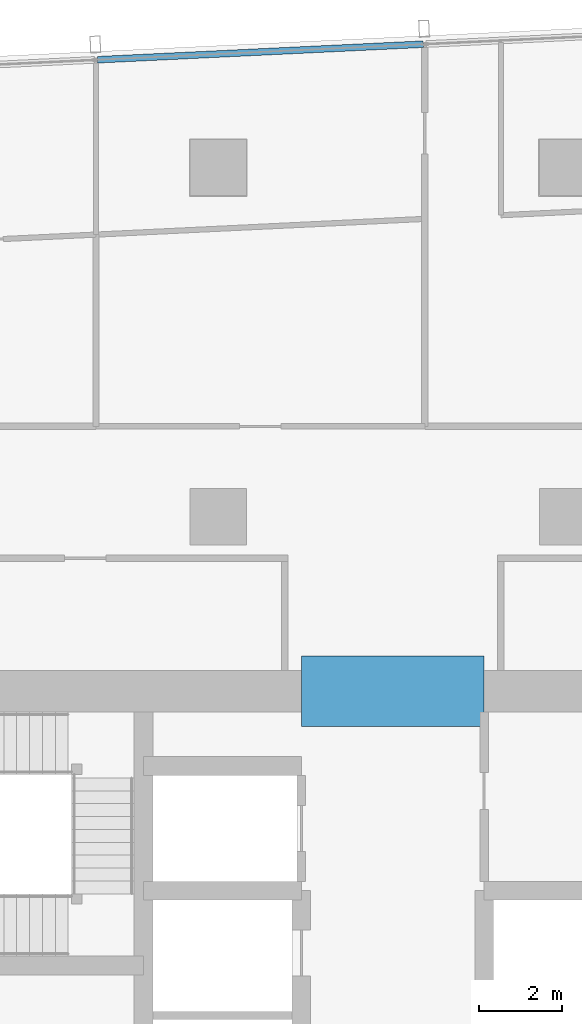
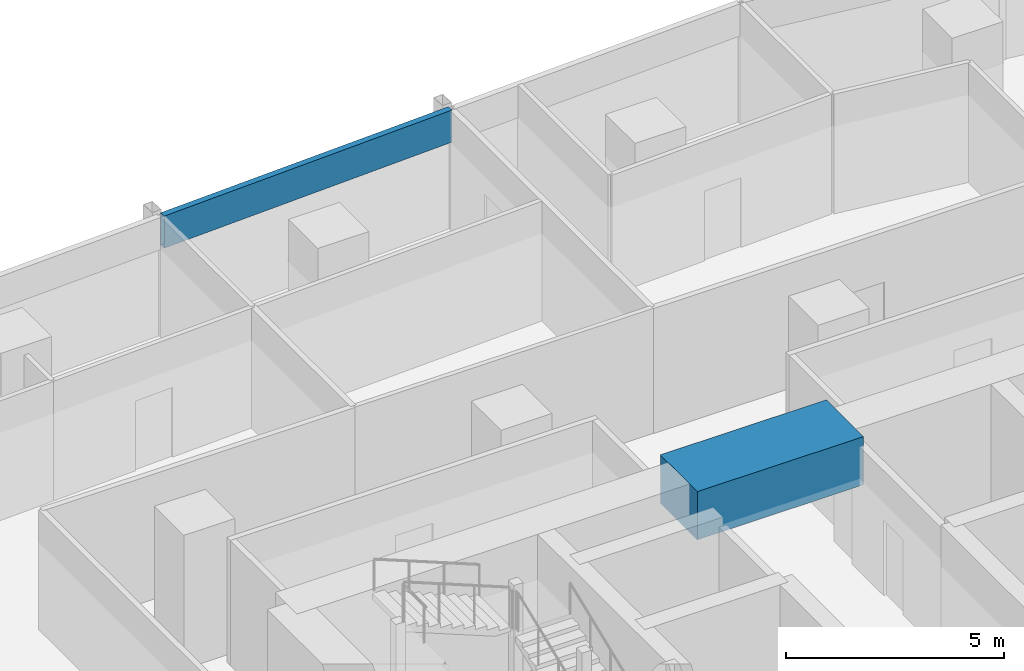
# One storey, part 17 of 33: 1 beam, 1 member, 1 element without a shape of its own.
"""IFC4 building model written with IfcOpenShell, lengths in metres."""

import ifcopenshell
import ifcopenshell.guid

model = None  # the IFC model being written
_history = None  # IfcOwnerHistory: only IFC2X3 demands one
_inside = {}  # id of a spatial element -> (the spatial element, [elements in it])
_under = {}  # id of a project, library or spatial element -> (it, [spatial elements below it])
_declared = {}  # id of a project -> (the project, [libraries it declares])
_typed = {}  # id of a type object -> (the type object, [elements of that type])
_made_of = {}  # id of a material, layer set ... -> (it, [elements and type objects made of it])


def new_model(schema):
    """Start an empty IFC model of exactly this schema.

    Asked for "IFC4X3", IfcOpenShell would pick the latest addendum, in which some entities
    have other attributes; the version numbers below select the first issue.
    IFC2X3 requires an IfcOwnerHistory on every rooted entity: one is made here for all.
    """
    global model, _history
    if schema == "IFC4X3":
        model = ifcopenshell.file(schema_version=(4, 3, 0, 0))
    else:
        model = ifcopenshell.file(schema=schema)
    _inside.clear()
    _under.clear()
    _declared.clear()
    _typed.clear()
    _made_of.clear()
    _history = None
    if model.schema == "IFC2X3":
        org = make("IfcOrganization", Name="unknown")
        user = make(
            "IfcPersonAndOrganization",
            ThePerson=make("IfcPerson", FamilyName="unknown"),
            TheOrganization=org,
        )
        app = make(
            "IfcApplication",
            ApplicationDeveloper=org,
            Version="unknown",
            ApplicationFullName="unknown",
            ApplicationIdentifier="unknown",
        )
        _history = make(
            "IfcOwnerHistory",
            OwningUser=user,
            OwningApplication=app,
            ChangeAction="ADDED",
            CreationDate=0,
        )
    return model


def make(cls, **values):
    """One entity of the class cls with the attributes given. An attribute that is None is left unset."""
    return model.create_entity(
        cls, **{name: value for name, value in values.items() if value is not None}
    )


def rooted(cls, **values):
    """An entity with a GlobalId (a new one), such as an element, a storey or a relation."""
    return make(cls, GlobalId=ifcopenshell.guid.new(), OwnerHistory=_history, **values)


def si_unit(unit_type, name, prefix=None):
    """IfcSIUnit, for example si_unit("LENGTHUNIT", "METRE", prefix="MILLI")."""
    return make("IfcSIUnit", UnitType=unit_type, Prefix=prefix, Name=name)


def assignment(units):
    """IfcUnitAssignment: the units of a project."""
    return None if units is None else make("IfcUnitAssignment", Units=units)


def point(xyz):
    """IfcCartesianPoint."""
    return None if xyz is None else make("IfcCartesianPoint", Coordinates=xyz)


def direction(xyz):
    """IfcDirection."""
    return None if xyz is None else make("IfcDirection", DirectionRatios=xyz)


def frame(location, z_axis=None, x_axis=None):
    """IfcAxis2Placement3D, a coordinate frame: its origin and axes. An axis left out is left unset."""
    return make(
        "IfcAxis2Placement3D",
        Location=point(location),
        Axis=direction(z_axis),
        RefDirection=direction(x_axis),
    )


def frame_2d(location, x_axis=None):
    """IfcAxis2Placement2D, a coordinate frame in the plane: its origin and x axis."""
    return make(
        "IfcAxis2Placement2D", Location=point(location), RefDirection=direction(x_axis)
    )


def origin():
    """The frame at (0, 0, 0) with its axes left unset."""
    return frame((0.0, 0.0, 0.0))


def origin_2d():
    """The frame at (0, 0) in the plane with its x axis left unset."""
    return frame_2d((0.0, 0.0))


def place(relative_to, where):
    """IfcLocalPlacement: puts the frame where relative to a parent placement (None: the world)."""
    return make(
        "IfcLocalPlacement", PlacementRelTo=relative_to, RelativePlacement=where
    )


def context(
    kind, dimensions, precision=None, world=None, true_north=None, identifier=None
):
    """IfcGeometricRepresentationContext, for example the 3D "Model" context."""
    return make(
        "IfcGeometricRepresentationContext",
        ContextIdentifier=identifier,
        ContextType=kind,
        CoordinateSpaceDimension=dimensions,
        Precision=precision,
        WorldCoordinateSystem=world,
        TrueNorth=true_north,
    )


def subcontext(parent, identifier, kind, view, scale=None):
    """IfcGeometricRepresentationSubContext, for example "Body" below "Model"."""
    return make(
        "IfcGeometricRepresentationSubContext",
        ContextIdentifier=identifier,
        ContextType=kind,
        ParentContext=parent,
        TargetScale=scale,
        TargetView=view,
    )


def project(units=None, contexts=None):
    """IfcProject with its units and contexts."""
    return rooted(
        "IfcProject",
        Name="project",
        RepresentationContexts=contexts,
        UnitsInContext=assignment(units),
    )


def spatial(cls, under=None, at=None, **own):
    """A site, building, storey or space (cls), placed at a placement, below another one or the project."""
    s = rooted(cls, ObjectPlacement=at, **own)
    if under is not None:
        _under.setdefault(under.id(), (under, []))[1].append(s)
    return s


def profile(cls, at=None, kind="AREA", **sizes):
    """A parametric profile (cls). Its sizes go by their IFC names, for example OverallWidth=200.0."""
    return make(cls, ProfileType=kind, Position=at, **sizes)


def rectangle(**sizes):
    """IfcRectangleProfileDef."""
    return profile("IfcRectangleProfileDef", **sizes)


def hollow_rectangle(**sizes):
    """IfcRectangleHollowProfileDef."""
    return profile("IfcRectangleHollowProfileDef", **sizes)


def extrude(swept, where, along, depth):
    """IfcExtrudedAreaSolid: the profile swept, set in the frame where, extruded along a direction by depth."""
    return make(
        "IfcExtrudedAreaSolid",
        SweptArea=swept,
        Position=where,
        ExtrudedDirection=direction(along),
        Depth=depth,
    )


def shape(context_of_items, identifier, shape_type, items):
    """IfcShapeRepresentation: the items that make up one representation, for example the "Body"."""
    return make(
        "IfcShapeRepresentation",
        ContextOfItems=context_of_items,
        RepresentationIdentifier=identifier,
        RepresentationType=shape_type,
        Items=items,
    )


def material(Name=None, Category=None):
    """IfcMaterial."""
    return make("IfcMaterial", Name=Name, Category=Category)


def material_profile(
    of_material, cross_section, Name=None, Category=None, Priority=None
):
    """IfcMaterialProfile: a cross section and its material."""
    return make(
        "IfcMaterialProfile",
        Name=Name,
        Material=of_material,
        Profile=cross_section,
        Priority=Priority,
        Category=Category,
    )


def profile_set(profiles, Name=None, composite=None):
    """IfcMaterialProfileSet."""
    return make(
        "IfcMaterialProfileSet",
        Name=Name,
        MaterialProfiles=profiles,
        CompositeProfile=composite,
    )


def made_of(thing, what):
    """Note that an element or type object is made of a material, layer set ...; save() writes the relation."""
    if what is not None:
        _made_of.setdefault(what.id(), (what, []))[1].append(thing)
    return thing


def type_object(cls, material=None, **own):
    """A type object (cls), such as IfcWallType, which elements share."""
    return made_of(rooted(cls, **own), material)


def element(
    cls,
    number,
    at=None,
    inside=None,
    cuts=None,
    type_object=None,
    material=None,
    context=None,
    identifier="Body",
    shape_type=None,
    held_by="IfcProductDefinitionShape",
    body=None,
    shapes=None,
    **own,
):
    """One element of the class cls, such as IfcWall. Its Tag is "e" and its number.

    at: its placement. inside: the storey or other place that contains it. cuts: it is an
    opening in that element (IfcRelVoidsElement). A single representation is given by context,
    identifier, shape_type and body (its items); several are given by shapes. held_by: the class
    of the entity that holds the representations. save() writes the other relations.
    """
    e = rooted(cls, Tag="e%d" % number, ObjectPlacement=at, **own)
    if body is not None:
        shapes = [shape(context, identifier, shape_type, body)]
    if shapes is not None:
        e.Representation = make(held_by, Representations=shapes)
    if inside is not None:
        _inside.setdefault(inside.id(), (inside, []))[1].append(e)
    if cuts is not None:
        rooted(
            "IfcRelVoidsElement", RelatingBuildingElement=cuts, RelatedOpeningElement=e
        )
    if type_object is not None:
        _typed.setdefault(type_object.id(), (type_object, []))[1].append(e)
    return made_of(e, material)


def aggregate(whole, parts):
    """IfcRelAggregates: a whole, such as a stair, and the parts it consists of."""
    return rooted("IfcRelAggregates", RelatingObject=whole, RelatedObjects=parts)


def save(model, path):
    """Write the relations noted so far, then the file.

    IfcRelAggregates (storeys below a building ...), IfcRelContainedInSpatialStructure (elements
    in a storey), IfcRelDefinesByType, IfcRelAssociatesMaterial and IfcRelDeclares: one each for
    every whole, place, type object, material and project.
    """
    for whole, parts in _under.values():
        aggregate(whole, parts)
    for where, things in _inside.values():
        rooted(
            "IfcRelContainedInSpatialStructure",
            RelatedElements=things,
            RelatingStructure=where,
        )
    for kind, things in _typed.values():
        rooted("IfcRelDefinesByType", RelatedObjects=things, RelatingType=kind)
    for what, things in _made_of.values():
        rooted("IfcRelAssociatesMaterial", RelatedObjects=things, RelatingMaterial=what)
    for by, libraries in _declared.values():
        rooted("IfcRelDeclares", RelatingContext=by, RelatedDefinitions=libraries)
    model.write(path)


model = new_model("IFC4")

# Units and contexts
model_context = context("Model", 3, precision=1e-05, world=origin(), true_north=direction((0.0, 1.0)))
body_context = subcontext(model_context, "Body", "Model", "MODEL_VIEW")
ifc_project = project(units=[si_unit("LENGTHUNIT", "METRE"), si_unit("AREAUNIT", "SQUARE_METRE"), si_unit("VOLUMEUNIT", "CUBIC_METRE"), si_unit("PLANEANGLEUNIT", "RADIAN"), si_unit("MASSUNIT", "GRAM", prefix="KILO")], contexts=[model_context])

# Site, building, storey
site_placement = place(None, origin())
site = spatial("IfcSite", under=ifc_project, at=site_placement, CompositionType="ELEMENT")
building_placement = place(site_placement, origin())
building = spatial("IfcBuilding", under=site, at=building_placement, Name="Rekha Terrace Tower", CompositionType="ELEMENT")
storey_placement = place(building_placement, frame((0.0, 0.0, 206.449951171875)))
storey = spatial("IfcBuildingStorey", under=building, at=storey_placement, Name="L52", CompositionType="ELEMENT", Elevation=206.449951171875)

# Curtain wall, member
ifc_material_1 = material(Name="Aluminium framing", Category="aluminium")
curtain_wall_type = type_object("IfcCurtainWallType", Name="CW3 north unitised glazing", PredefinedType="USERDEFINED", material=ifc_material_1)
curtain_wall_placement = place(storey_placement, origin())
curtain_wall = element("IfcCurtainWall", 1, at=curtain_wall_placement, inside=storey, type_object=curtain_wall_type, Name="CW3 unitised curtain wall", ObjectType="UNITISED CURTAIN WALL", PredefinedType="USERDEFINED")
ifc_material_2 = material(Name="Insulated aluminium spandrel box", Category="aluminium")
ifc_material_profile_1 = material_profile(ifc_material_2, hollow_rectangle(XDim=0.159912109375, YDim=0.89990234375, WallThickness=0.0029296875, at=origin_2d()), Name="AL SPANDREL BOX 160x900")
ifc_profile_set_1 = profile_set([ifc_material_profile_1], Name="Insulated aluminium spandrel box")
member_type = type_object("IfcMemberType", Name="CW3 spandrel transom 160 x 900", PredefinedType="USERDEFINED", material=ifc_profile_set_1)
member_placement = place(storey_placement, frame((38.53515625, 61.76953125, 3.050048828125), z_axis=(-0.998859252362, -0.047751376635, 0.0), x_axis=(0.047751376635, -0.998859252362, 0.0)))
member = element("IfcMember", 2, at=member_placement, type_object=member_type, Name="CW3 spandrel transom 2", ObjectType="TRANSOM", PredefinedType="USERDEFINED", context=body_context, shape_type="SweptSolid", body=[
    extrude(hollow_rectangle(XDim=0.159912109375, YDim=0.89990234375, WallThickness=0.0029296875, at=origin_2d()), origin(), (0.0, 0.0, 1.0), 7.84814453125),
])
aggregate(curtain_wall, [member])

# Beam
ifc_material_3 = material(Name="Concrete M60", Category="concrete")
ifc_material_profile_2 = material_profile(ifc_material_3, rectangle(XDim=1.699951171875, YDim=1.35009765625, at=origin_2d()), Name="RC 1700x1350")
ifc_profile_set_2 = profile_set([ifc_material_profile_2], Name="Concrete M60")
beam_type = type_object("IfcBeamType", Name="LB3A 1700x1350 diagonally reinforced coupling beam", PredefinedType="LINTEL", material=ifc_profile_set_2)
beam_placement = place(storey_placement, frame((35.60009765625, 46.199951171875, 3.074951171875), z_axis=(1.0, 0.0, 0.0), x_axis=(0.0, 1.0, 0.0)))
element("IfcBeam", 3, at=beam_placement, inside=storey, type_object=beam_type, Name="Coupling beam LB3A N L52", PredefinedType="LINTEL", context=body_context, shape_type="SweptSolid", body=[
    extrude(rectangle(XDim=1.699951171875, YDim=1.35009765625, at=origin_2d()), origin(), (0.0, 0.0, 1.0), 4.39990234375),
])

save(model, "model.ifc")
